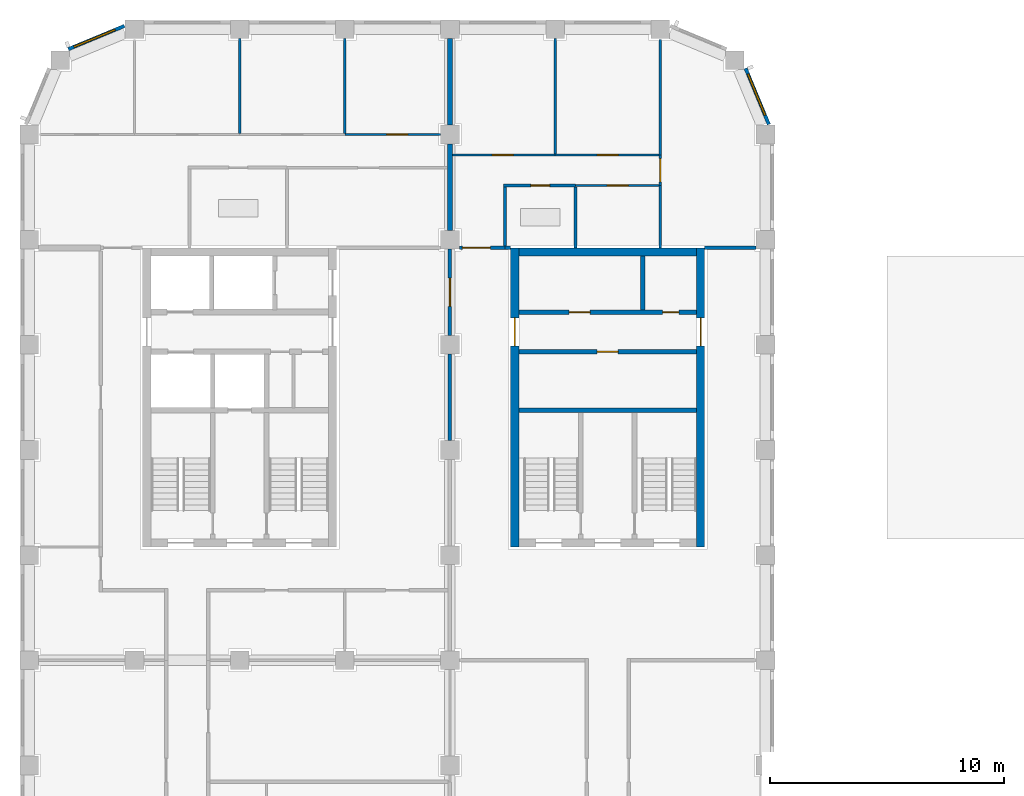
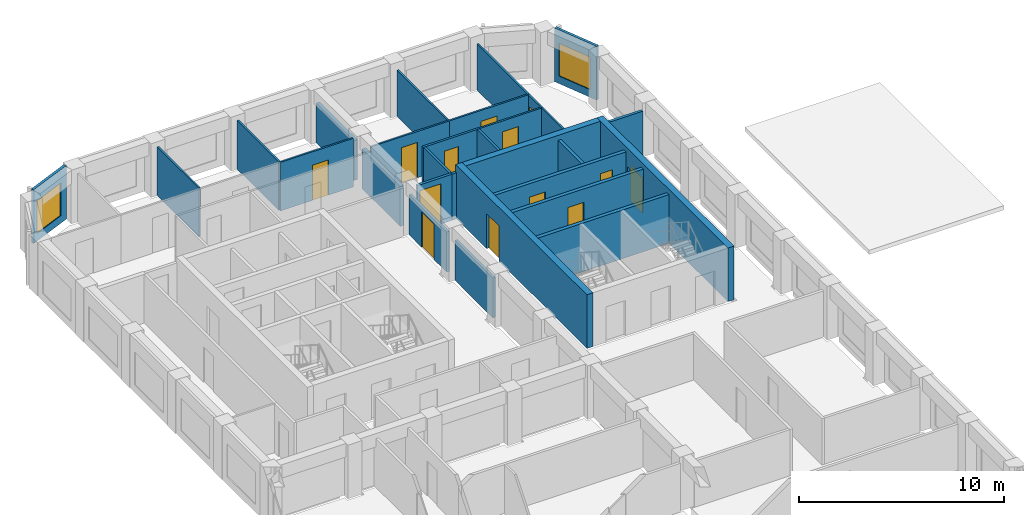
# One storey, part 6 of 9: 29 walls, 13 doors, 2 windows, 15 openings.
"""IFC4 building model written with IfcOpenShell, lengths in metres."""

from ifc_helpers import new_model, si_unit, direction, frame, frame_2d, origin, place, context, subcontext, project, spatial, rectangle, extrude, material, layer, layer_set, type_object, element, fill, save


model = new_model("IFC4")

# Units and contexts
model_context = context("Model", 3, precision=1e-05, world=origin(), true_north=direction((0.0, 1.0)))
body_context = subcontext(model_context, "Body", "Model", "MODEL_VIEW")
ifc_project = project(units=[si_unit("LENGTHUNIT", "METRE"), si_unit("AREAUNIT", "SQUARE_METRE"), si_unit("VOLUMEUNIT", "CUBIC_METRE"), si_unit("PLANEANGLEUNIT", "RADIAN"), si_unit("MASSUNIT", "GRAM", prefix="KILO")], contexts=[model_context])

# Site, building, storey
site_placement = place(None, origin())
site = spatial("IfcSite", under=ifc_project, at=site_placement, CompositionType="ELEMENT")
building_placement = place(site_placement, origin())
building = spatial("IfcBuilding", under=site, at=building_placement, Name="Girih Gate Residences", CompositionType="ELEMENT")
storey_placement = place(building_placement, frame((0.0, 0.0, 179.5)))
storey = spatial("IfcBuildingStorey", under=building, at=storey_placement, Name="L49", CompositionType="ELEMENT", Elevation=179.5)

# Wall
ifc_material_1 = material(Name="Gypsum board on steel studs", Category="steel")
ifc_layer_1 = layer(ifc_material_1, 0.14990234375)
ifc_layer_set_1 = layer_set([ifc_layer_1], Name="Compartment wall 150 mm")
wall_type_1 = type_object("IfcWallType", Name="Compartment wall 150 mm", PredefinedType="PARTITIONING", material=ifc_layer_set_1)
wall_1_placement = place(storey_placement, frame((20.35009765625, 40.14990234375, 0.0), z_axis=(0.0, 0.0, 1.0), x_axis=(1.0, 0.0, 0.0)))
element("IfcWall", 1, at=wall_1_placement, inside=storey, type_object=wall_type_1, Name="L49 partition", PredefinedType="PARTITIONING", context=body_context, shape_type="SweptSolid", body=[
    extrude(rectangle(XDim=0.25, YDim=0.14990234375, at=frame_2d((0.125, 0.0))), origin(), (0.0, 0.0, 1.0), 2.75),
])

# Wall, opening, door
wall_2_placement = place(storey_placement, frame((18.39990234375, 40.14990234375, 0.0), z_axis=(0.0, 0.0, 1.0), x_axis=(1.0, 0.0, 0.0)))
wall_2 = element("IfcWall", 2, at=wall_2_placement, inside=storey, type_object=wall_type_1, Name="L49 partition", PredefinedType="PARTITIONING", context=body_context, shape_type="SweptSolid", body=[
    extrude(rectangle(XDim=1.9501953125, YDim=0.14990234375, at=frame_2d((0.97509765625, 0.0))), origin(), (0.0, 0.0, 1.0), 2.75),
])
opening_1_placement = place(wall_2_placement, frame((0.1298828125, 0.0, 0.0)))
opening_1 = element("IfcOpeningElement", 3, at=opening_1_placement, cuts=wall_2, Name="Opening A49-020", PredefinedType="OPENING", context=body_context, shape_type="SweptSolid", body=[
    extrude(rectangle(XDim=1.199951171875, YDim=2.39990234375, at=frame_2d((0.60009765625, 1.199951171875))), frame((0.0, 0.0849609375, 0.0), z_axis=(0.0, -1.0, 0.0), x_axis=(1.0, 0.0, 0.0)), (0.0, 0.0, 1.0), 0.169921875),
])
ifc_material_2 = material(Name="Timber, fire-rated core", Category="wood")
door_type_1 = type_object("IfcDoorType", Name="Villa entrance door 1200x2400 FD30S", OperationType="NOTDEFINED", PredefinedType="DOOR", material=ifc_material_2)
door_1_placement = place(opening_1_placement, origin())
door_1 = element("IfcDoor", 4, at=door_1_placement, inside=storey, type_object=door_type_1, Name="Door A49-020", OperationType="SINGLE_SWING_LEFT", OverallHeight=2.39990234375, OverallWidth=1.199951171875, PredefinedType="DOOR", context=body_context, shape_type="SweptSolid", body=[
    extrude(rectangle(XDim=1.199951171875, YDim=2.39990234375, at=frame_2d((0.60009765625, 1.199951171875))), frame((0.0, 0.02490234375, 0.0), z_axis=(0.0, -1.0, 0.0), x_axis=(1.0, 0.0, 0.0)), (0.0, 0.0, 1.0), 0.050048828125),
])
fill(opening_1, door_1)

# Walls
wall_3_placement = place(storey_placement, frame((28.89990234375, 40.14990234375, 0.0), z_axis=(0.0, 0.0, 1.0), x_axis=(1.0, 0.0, 0.0)))
element("IfcWall", 5, at=wall_3_placement, inside=storey, type_object=wall_type_1, Name="L49 partition", PredefinedType="PARTITIONING", context=body_context, shape_type="SweptSolid", body=[
    extrude(rectangle(XDim=2.2001953125, YDim=0.14990234375, at=frame_2d((1.10009765625, 0.0))), origin(), (0.0, 0.0, 1.0), 2.75),
])
wall_4_placement = place(storey_placement, frame((18.0, 31.89990234375, 0.0), z_axis=(0.0, 0.0, 1.0), x_axis=(0.0, 1.0, 0.0)))
element("IfcWall", 6, at=wall_4_placement, inside=storey, type_object=wall_type_1, Name="L49 partition", PredefinedType="PARTITIONING", context=body_context, shape_type="SweptSolid", body=[
    extrude(rectangle(XDim=3.7001953125, YDim=0.14990234375, at=frame_2d((1.85009765625, 0.0))), origin(), (0.0, 0.0, 1.0), 2.3798828125),
])

# Wall, opening, door
wall_5_placement = place(storey_placement, frame((18.0, 40.10009765625, 0.0), z_axis=(0.0, 0.0, 1.0), x_axis=(0.0, -1.0, 0.0)))
wall_5 = element("IfcWall", 7, at=wall_5_placement, inside=storey, type_object=wall_type_1, Name="L49 partition", PredefinedType="PARTITIONING", context=body_context, shape_type="SweptSolid", body=[
    extrude(rectangle(XDim=3.7001953125, YDim=0.14990234375, at=frame_2d((1.85009765625, 0.0))), origin(), (0.0, 0.0, 1.0), 2.3798828125),
])
opening_2_placement = place(wall_5_placement, frame((1.25, 0.0, 0.0)))
opening_2 = element("IfcOpeningElement", 8, at=opening_2_placement, cuts=wall_5, Name="Opening A49-022", PredefinedType="OPENING", context=body_context, shape_type="SweptSolid", body=[
    extrude(rectangle(XDim=1.199951171875, YDim=2.10009765625, at=frame_2d((0.60009765625, 1.050048828125))), frame((0.0, 0.0849609375, 0.0), z_axis=(0.0, -1.0, 0.0), x_axis=(1.0, 0.0, 0.0)), (0.0, 0.0, 1.0), 0.169921875),
])
door_type_2 = type_object("IfcDoorType", Name="Corridor fire door 1200x2100 FD30S", OperationType="NOTDEFINED", PredefinedType="DOOR", material=ifc_material_2)
door_2_placement = place(opening_2_placement, origin())
door_2 = element("IfcDoor", 9, at=door_2_placement, inside=storey, type_object=door_type_2, Name="Door A49-022", OperationType="SINGLE_SWING_LEFT", OverallHeight=2.10009765625, OverallWidth=1.199951171875, PredefinedType="DOOR", context=body_context, shape_type="SweptSolid", body=[
    extrude(rectangle(XDim=1.199951171875, YDim=2.10009765625, at=frame_2d((0.60009765625, 1.050048828125))), frame((0.0, 0.02490234375, 0.0), z_axis=(0.0, -1.0, 0.0), x_axis=(1.0, 0.0, 0.0)), (0.0, 0.0, 1.0), 0.050048828125),
])
fill(opening_2, door_2)

# Walls
ifc_layer_2 = layer(ifc_material_1, 0.10009765625)
ifc_layer_set_2 = layer_set([ifc_layer_2], Name="Partition 100 mm")
wall_type_2 = type_object("IfcWallType", Name="Partition 100 mm", PredefinedType="PARTITIONING", material=ifc_layer_set_2)
for number, where, z_axis, x_axis, name in (
    (10, (9.0, 45.050048828125, 0.0), (0.0, 0.0, 1.0), (0.0, 1.0, 0.0), "L49 partition"),
    (11, (13.5, 45.050048828125, 0.0), (0.0, 0.0, 1.0), (0.0, 1.0, 0.0), "L49 partition"),
):
    element("IfcWall", number, at=place(storey_placement, frame(where, z_axis=z_axis, x_axis=x_axis)), inside=storey, type_object=wall_type_2, Name=name, PredefinedType="PARTITIONING", context=body_context, shape_type="SweptSolid", body=[
        extrude(rectangle(XDim=4.050048828125, YDim=0.10009765625, at=frame_2d((2.02490234375, 0.0))), origin(), (0.0, 0.0, 1.0), 2.89990234375),
    ])

# Wall, opening, door
wall_6_placement = place(storey_placement, frame((13.5, 45.0, 0.0), z_axis=(0.0, 0.0, 1.0), x_axis=(1.0, 0.0, 0.0)))
wall_6 = element("IfcWall", 12, at=wall_6_placement, inside=storey, type_object=wall_type_2, Name="L49 partition", PredefinedType="PARTITIONING", context=body_context, shape_type="SweptSolid", body=[
    extrude(rectangle(XDim=4.10009765625, YDim=0.10009765625, at=frame_2d((2.050048828125, 0.0))), origin(), (0.0, 0.0, 1.0), 2.89990234375),
])
opening_3_placement = place(wall_6_placement, frame((1.800048828125, 0.0, 0.0)))
opening_3 = element("IfcOpeningElement", 13, at=opening_3_placement, cuts=wall_6, Name="Opening A49-011", PredefinedType="OPENING", context=body_context, shape_type="SweptSolid", body=[
    extrude(rectangle(XDim=0.89990234375, YDim=2.10009765625, at=frame_2d((0.449951171875, 1.050048828125))), frame((0.0, 0.06005859375, 0.0), z_axis=(0.0, -1.0, 0.0), x_axis=(1.0, 0.0, 0.0)), (0.0, 0.0, 1.0), 0.1201171875),
])
ifc_material_3 = material(Name="Timber", Category="wood")
door_type_3 = type_object("IfcDoorType", Name="Bedroom door 900x2100", OperationType="NOTDEFINED", PredefinedType="DOOR", material=ifc_material_3)
door_3_placement = place(opening_3_placement, origin())
door_3 = element("IfcDoor", 14, at=door_3_placement, inside=storey, type_object=door_type_3, Name="Door A49-011", OperationType="SINGLE_SWING_RIGHT", OverallHeight=2.10009765625, OverallWidth=0.89990234375, PredefinedType="DOOR", context=body_context, shape_type="SweptSolid", body=[
    extrude(rectangle(XDim=0.89990234375, YDim=2.10009765625, at=frame_2d((0.449951171875, 1.050048828125))), frame((0.0, 0.02490234375, 0.0), z_axis=(0.0, -1.0, 0.0), x_axis=(1.0, 0.0, 0.0)), (0.0, 0.0, 1.0), 0.050048828125),
])
fill(opening_3, door_3)

# Wall
wall_7_placement = place(storey_placement, frame((22.5, 44.169921875, 0.0), z_axis=(0.0, 0.0, 1.0), x_axis=(0.0, 1.0, 0.0)))
element("IfcWall", 15, at=wall_7_placement, inside=storey, type_object=wall_type_2, Name="L49 partition", PredefinedType="PARTITIONING", context=body_context, shape_type="SweptSolid", body=[
    extrude(rectangle(XDim=4.93017578125, YDim=0.10009765625, at=frame_2d((2.465087890625, 0.0))), origin(), (0.0, 0.0, 1.0), 2.75),
])

# Wall, opening, door
wall_8_placement = place(storey_placement, frame((18.10009765625, 44.1201171875, 0.0), z_axis=(0.0, 0.0, 1.0), x_axis=(1.0, 0.0, 0.0)))
wall_8 = element("IfcWall", 16, at=wall_8_placement, inside=storey, type_object=wall_type_2, Name="L49 partition", PredefinedType="PARTITIONING", context=body_context, shape_type="SweptSolid", body=[
    extrude(rectangle(XDim=4.39990234375, YDim=0.10009765625, at=frame_2d((2.199951171875, 0.0))), origin(), (0.0, 0.0, 1.0), 2.75),
])
opening_4_placement = place(wall_8_placement, frame((1.699951171875, 0.0, 0.0)))
opening_4 = element("IfcOpeningElement", 17, at=opening_4_placement, cuts=wall_8, Name="Opening A49-016", PredefinedType="OPENING", context=body_context, shape_type="SweptSolid", body=[
    extrude(rectangle(XDim=0.89990234375, YDim=2.10009765625, at=frame_2d((0.449951171875, 1.050048828125))), frame((0.0, 0.06005859375, 0.0), z_axis=(0.0, -1.0, 0.0), x_axis=(1.0, 0.0, 0.0)), (0.0, 0.0, 1.0), 0.1201171875),
])
door_4_placement = place(opening_4_placement, origin())
door_4 = element("IfcDoor", 18, at=door_4_placement, inside=storey, type_object=door_type_3, Name="Door A49-016", OperationType="SINGLE_SWING_LEFT", OverallHeight=2.10009765625, OverallWidth=0.89990234375, PredefinedType="DOOR", context=body_context, shape_type="SweptSolid", body=[
    extrude(rectangle(XDim=0.89990234375, YDim=2.10009765625, at=frame_2d((0.449951171875, 1.050048828125))), frame((0.0, 0.02490234375, 0.0), z_axis=(0.0, -1.0, 0.0), x_axis=(1.0, 0.0, 0.0)), (0.0, 0.0, 1.0), 0.050048828125),
])
fill(opening_4, door_4)

wall_9_placement = place(storey_placement, frame((22.5, 44.1201171875, 0.0), z_axis=(0.0, 0.0, 1.0), x_axis=(1.0, 0.0, 0.0)))
wall_9 = element("IfcWall", 19, at=wall_9_placement, inside=storey, type_object=wall_type_2, Name="L49 partition", PredefinedType="PARTITIONING", context=body_context, shape_type="SweptSolid", body=[
    extrude(rectangle(XDim=4.449951171875, YDim=0.10009765625, at=frame_2d((2.22509765625, 0.0))), origin(), (0.0, 0.0, 1.0), 2.75),
])
opening_5_placement = place(wall_9_placement, frame((1.800048828125, 0.0, 0.0)))
opening_5 = element("IfcOpeningElement", 20, at=opening_5_placement, cuts=wall_9, Name="Opening A49-017", PredefinedType="OPENING", context=body_context, shape_type="SweptSolid", body=[
    extrude(rectangle(XDim=0.89990234375, YDim=2.10009765625, at=frame_2d((0.449951171875, 1.050048828125))), frame((0.0, 0.06005859375, 0.0), z_axis=(0.0, -1.0, 0.0), x_axis=(1.0, 0.0, 0.0)), (0.0, 0.0, 1.0), 0.1201171875),
])
door_5_placement = place(opening_5_placement, origin())
door_5 = element("IfcDoor", 21, at=door_5_placement, inside=storey, type_object=door_type_3, Name="Door A49-017", OperationType="SINGLE_SWING_RIGHT", OverallHeight=2.10009765625, OverallWidth=0.89990234375, PredefinedType="DOOR", context=body_context, shape_type="SweptSolid", body=[
    extrude(rectangle(XDim=0.89990234375, YDim=2.10009765625, at=frame_2d((0.449951171875, 1.050048828125))), frame((0.0, 0.02490234375, 0.0), z_axis=(0.0, -1.0, 0.0), x_axis=(1.0, 0.0, 0.0)), (0.0, 0.0, 1.0), 0.050048828125),
])
fill(opening_5, door_5)

# Wall
wall_10_placement = place(storey_placement, frame((27.0, 44.1201171875, 0.0), z_axis=(0.0, 0.0, 1.0), x_axis=(0.0, 1.0, 0.0)))
element("IfcWall", 22, at=wall_10_placement, inside=storey, type_object=wall_type_2, Name="L49 partition", PredefinedType="PARTITIONING", context=body_context, shape_type="SweptSolid", body=[
    extrude(rectangle(XDim=4.947021484375, YDim=0.10009765625, at=frame_2d((2.4736328125, 0.0))), origin(), (0.0, 0.0, 1.0), 2.75),
])

# Wall, opening, door
wall_11_placement = place(storey_placement, frame((26.949951171875, 42.820068359375, 0.0), z_axis=(0.0, 0.0, 1.0), x_axis=(-1.0, 0.0, 0.0)))
wall_11 = element("IfcWall", 23, at=wall_11_placement, inside=storey, type_object=wall_type_2, Name="L49 partition", PredefinedType="PARTITIONING", context=body_context, shape_type="SweptSolid", body=[
    extrude(rectangle(XDim=3.572265625, YDim=0.10009765625, at=frame_2d((1.7861328125, 0.0))), origin(), (0.0, 0.0, 1.0), 2.75),
])
opening_6_placement = place(wall_11_placement, frame((1.31103515625, 0.0, 0.0)))
opening_6 = element("IfcOpeningElement", 24, at=opening_6_placement, cuts=wall_11, Name="Opening A49-018", PredefinedType="OPENING", context=body_context, shape_type="SweptSolid", body=[
    extrude(rectangle(XDim=0.89990234375, YDim=2.10009765625, at=frame_2d((0.449951171875, 1.050048828125))), frame((0.0, 0.06005859375, 0.0), z_axis=(0.0, -1.0, 0.0), x_axis=(1.0, 0.0, 0.0)), (0.0, 0.0, 1.0), 0.1201171875),
])
door_type_4 = type_object("IfcDoorType", Name="Kitchen door 900x2100", OperationType="NOTDEFINED", PredefinedType="DOOR", material=ifc_material_3)
door_6_placement = place(opening_6_placement, origin())
door_6 = element("IfcDoor", 25, at=door_6_placement, inside=storey, type_object=door_type_4, Name="Door A49-018", OperationType="SINGLE_SWING_LEFT", OverallHeight=2.10009765625, OverallWidth=0.89990234375, PredefinedType="DOOR", context=body_context, shape_type="SweptSolid", body=[
    extrude(rectangle(XDim=0.89990234375, YDim=2.10009765625, at=frame_2d((0.449951171875, 1.050048828125))), frame((0.0, 0.02490234375, 0.0), z_axis=(0.0, -1.0, 0.0), x_axis=(1.0, 0.0, 0.0)), (0.0, 0.0, 1.0), 0.050048828125),
])
fill(opening_6, door_6)

wall_12_placement = place(storey_placement, frame((27.0, 44.1201171875, 0.0), z_axis=(0.0, 0.0, 1.0), x_axis=(0.0, -1.0, 0.0)))
wall_12 = element("IfcWall", 26, at=wall_12_placement, inside=storey, type_object=wall_type_2, Name="L49 partition", PredefinedType="PARTITIONING", context=body_context, shape_type="SweptSolid", body=[
    extrude(rectangle(XDim=1.300048828125, YDim=0.10009765625, at=frame_2d((0.64990234375, 0.0))), origin(), (0.0, 0.0, 1.0), 2.75),
])
opening_7_placement = place(wall_12_placement, frame((0.14990234375, 0.0, 0.0)))
opening_7 = element("IfcOpeningElement", 27, at=opening_7_placement, cuts=wall_12, Name="Opening A49-019", PredefinedType="OPENING", context=body_context, shape_type="SweptSolid", body=[
    extrude(rectangle(XDim=1.0, YDim=2.10009765625, at=frame_2d((0.5, 1.050048828125))), frame((0.0, 0.06005859375, 0.0), z_axis=(0.0, -1.0, 0.0), x_axis=(1.0, 0.0, 0.0)), (0.0, 0.0, 1.0), 0.1201171875),
])
door_type_5 = type_object("IfcDoorType", Name="Living room door 1000x2100", OperationType="NOTDEFINED", PredefinedType="DOOR", material=ifc_material_3)
door_7_placement = place(opening_7_placement, origin())
door_7 = element("IfcDoor", 28, at=door_7_placement, inside=storey, type_object=door_type_5, Name="Door A49-019", OperationType="SINGLE_SWING_RIGHT", OverallHeight=2.10009765625, OverallWidth=1.0, PredefinedType="DOOR", context=body_context, shape_type="SweptSolid", body=[
    extrude(rectangle(XDim=1.0, YDim=2.10009765625, at=frame_2d((0.5, 1.050048828125))), frame((0.0, 0.02490234375, 0.0), z_axis=(0.0, -1.0, 0.0), x_axis=(1.0, 0.0, 0.0)), (0.0, 0.0, 1.0), 0.050048828125),
])
fill(opening_7, door_7)

# Walls
wall_13_placement = place(storey_placement, frame((27.0, 40.14990234375, 0.0), z_axis=(0.0, 0.0, 1.0), x_axis=(0.0, 1.0, 0.0)))
element("IfcWall", 29, at=wall_13_placement, inside=storey, type_object=wall_type_2, Name="L49 partition", PredefinedType="PARTITIONING", context=body_context, shape_type="SweptSolid", body=[
    extrude(rectangle(XDim=2.670166015625, YDim=0.10009765625, at=frame_2d((1.3349609375, 0.0))), origin(), (0.0, 0.0, 1.0), 2.75),
])
ifc_layer_3 = layer(ifc_material_1, 0.199951171875)
ifc_layer_set_3 = layer_set([ifc_layer_3], Name="Party wall 200 mm")
wall_type_3 = type_object("IfcWallType", Name="Party wall 200 mm", PredefinedType="PARTITIONING", material=ifc_layer_set_3)
for number, where, z_axis, x_axis, name in (
    (30, (18.0, 45.39990234375, 0.0), (0.0, 0.0, 1.0), (0.0, 1.0, 0.0), "L49 partition"),
    (31, (18.0, 40.89990234375, 0.0), (0.0, 0.0, 1.0), (0.0, 1.0, 0.0), "L49 partition"),
):
    element("IfcWall", number, at=place(storey_placement, frame(where, z_axis=z_axis, x_axis=x_axis)), inside=storey, type_object=wall_type_3, Name=name, PredefinedType="PARTITIONING", context=body_context, shape_type="SweptSolid", body=[
        extrude(rectangle(XDim=3.7001953125, YDim=0.199951171875, at=frame_2d((1.85009765625, 0.0))), origin(), (0.0, 0.0, 1.0), 2.3798828125),
    ])

# Wall, opening, window
ifc_material_4 = material(Name="Precast concrete C50/60", Category="concrete")
ifc_layer_4 = layer(ifc_material_4, 0.050048828125, Name="Outer leaf")
ifc_material_5 = material(Name="Rigid PIR insulation")
ifc_layer_5 = layer(ifc_material_5, 0.06005859375, Name="Insulation")
ifc_material_6 = material(Name="Precast concrete C40/50", Category="concrete")
ifc_layer_6 = layer(ifc_material_6, 0.0400390625, Name="Inner leaf")
ifc_layer_set_4 = layer_set([ifc_layer_4, ifc_layer_5, ifc_layer_6], Name="Precast concrete C50/60 external wall 150")
wall_type_4 = type_object("IfcWallType", Name="Precast concrete C50/60 external wall 150", PredefinedType="SOLIDWALL", material=ifc_layer_set_4)
wall_14_placement = place(storey_placement, frame((30.6513671875, 47.8330078125, 0.0), z_axis=(0.0, 0.0, 1.0), x_axis=(0.382669406082, -0.923885342263, 0.0)))
wall_14 = element("IfcWall", 32, at=wall_14_placement, inside=storey, type_object=wall_type_4, Name="External wall NE0315_0450.0", PredefinedType="SOLIDWALL", context=body_context, shape_type="SweptSolid", body=[
    extrude(rectangle(XDim=2.602294921875, YDim=0.14990234375, at=frame_2d((1.30126953125, 0.0))), origin(), (0.0, 0.0, 1.0), 3.199951171875),
])
opening_8_placement = place(wall_14_placement, frame((0.27001953125, 0.0, 0.449951171875)))
opening_8 = element("IfcOpeningElement", 33, at=opening_8_placement, cuts=wall_14, Name="Opening W-2G", PredefinedType="OPENING", context=body_context, shape_type="SweptSolid", body=[
    extrude(rectangle(XDim=1.89990234375, YDim=1.949951171875, at=frame_2d((0.949951171875, 0.97509765625))), frame((0.0, 0.0849609375, 0.0), z_axis=(0.0, -1.0, 0.0), x_axis=(1.0, 0.0, 0.0)), (0.0, 0.0, 1.0), 0.169921875),
])
ifc_material_7 = material(Name="Double glazing in aluminium frame", Category="aluminium")
window_type = type_object("IfcWindowType", Name="Window W-2G 1900x1950", PartitioningType="SINGLE_PANEL", PredefinedType="WINDOW", material=ifc_material_7)
window_1_placement = place(opening_8_placement, origin())
window_1 = element("IfcWindow", 34, at=window_1_placement, inside=storey, type_object=window_type, Name="Window W-2G NE0315_0450.0", OverallHeight=1.949951171875, OverallWidth=1.89990234375, PartitioningType="SINGLE_PANEL", PredefinedType="WINDOW", context=body_context, shape_type="SweptSolid", body=[
    extrude(rectangle(XDim=1.89990234375, YDim=1.949951171875, at=frame_2d((0.949951171875, 0.97509765625))), frame((0.0, 0.030029296875, 0.0), z_axis=(0.0, -1.0, 0.0), x_axis=(1.0, 0.0, 0.0)), (0.0, 0.0, 1.0), 0.06005859375),
])
fill(opening_8, window_1)

wall_15_placement = place(storey_placement, frame((1.6669921875, 48.6513671875, 0.0), z_axis=(0.0, 0.0, 1.0), x_axis=(0.923885342263, 0.382669406082, 0.0)))
wall_15 = element("IfcWall", 35, at=wall_15_placement, inside=storey, type_object=wall_type_4, Name="External wall NW0045_0495.0", PredefinedType="SOLIDWALL", context=body_context, shape_type="SweptSolid", body=[
    extrude(rectangle(XDim=2.602294921875, YDim=0.14990234375, at=frame_2d((1.30126953125, 0.0))), origin(), (0.0, 0.0, 1.0), 3.199951171875),
])
opening_9_placement = place(wall_15_placement, frame((0.27001953125, 0.0, 0.449951171875)))
opening_9 = element("IfcOpeningElement", 36, at=opening_9_placement, cuts=wall_15, Name="Opening W-2G", PredefinedType="OPENING", context=body_context, shape_type="SweptSolid", body=[
    extrude(rectangle(XDim=1.89990234375, YDim=1.949951171875, at=frame_2d((0.949951171875, 0.97509765625))), frame((0.0, 0.0849609375, 0.0), z_axis=(0.0, -1.0, 0.0), x_axis=(1.0, 0.0, 0.0)), (0.0, 0.0, 1.0), 0.169921875),
])
window_2_placement = place(opening_9_placement, origin())
window_2 = element("IfcWindow", 37, at=window_2_placement, inside=storey, type_object=window_type, Name="Window W-2G NW0045_0495.0", OverallHeight=1.949951171875, OverallWidth=1.89990234375, PartitioningType="SINGLE_PANEL", PredefinedType="WINDOW", context=body_context, shape_type="SweptSolid", body=[
    extrude(rectangle(XDim=1.89990234375, YDim=1.949951171875, at=frame_2d((0.949951171875, 0.97509765625))), frame((0.0, 0.030029296875, 0.0), z_axis=(0.0, -1.0, 0.0), x_axis=(1.0, 0.0, 0.0)), (0.0, 0.0, 1.0), 0.06005859375),
])
fill(opening_9, window_2)

# Walls
ifc_material_8 = material(Name="Concrete C40/50", Category="concrete")
ifc_layer_7 = layer(ifc_material_8, 0.175048828125)
ifc_layer_set_5 = layer_set([ifc_layer_7], Name="Riser shaft wall 175")
wall_type_5 = type_object("IfcWallType", Name="Riser shaft wall 175", PredefinedType="SOLIDWALL", material=ifc_layer_set_5)
wall_16_placement = place(storey_placement, frame((26.25, 37.5, 0.0), z_axis=(0.0, 0.0, 1.0), x_axis=(0.0, 1.0, 0.0)))
element("IfcWall", 38, at=wall_16_placement, inside=storey, type_object=wall_type_5, Name="L49 C core wall V2c", PredefinedType="SOLIDWALL", context=body_context, shape_type="SweptSolid", body=[
    extrude(rectangle(XDim=2.300048828125, YDim=0.175048828125, at=frame_2d((1.14990234375, 0.0))), origin(), (0.0, 0.0, 1.0), 2.89990234375),
])
ifc_layer_8 = layer(ifc_material_8, 0.199951171875)
ifc_layer_set_6 = layer_set([ifc_layer_8], Name="Shaft wall 200")
wall_type_6 = type_object("IfcWallType", Name="Shaft wall 200", PredefinedType="SOLIDWALL", material=ifc_layer_set_6)
wall_17_placement = place(storey_placement, frame((20.949951171875, 33.199951171875, 0.0), z_axis=(0.0, 0.0, 1.0), x_axis=(1.0, 0.0, 0.0)))
element("IfcWall", 39, at=wall_17_placement, inside=storey, type_object=wall_type_6, Name="L49 C core wall H1", PredefinedType="SOLIDWALL", context=body_context, shape_type="SweptSolid", body=[
    extrude(rectangle(XDim=7.60009765625, YDim=0.199951171875, at=frame_2d((3.800048828125, 0.0))), origin(), (0.0, 0.0, 1.0), 2.89990234375),
])

# Wall, opening, door
wall_18_placement = place(storey_placement, frame((20.949951171875, 35.699951171875, 0.0), z_axis=(0.0, 0.0, 1.0), x_axis=(1.0, 0.0, 0.0)))
wall_18 = element("IfcWall", 40, at=wall_18_placement, inside=storey, type_object=wall_type_6, Name="L49 C core wall H2", PredefinedType="SOLIDWALL", context=body_context, shape_type="SweptSolid", body=[
    extrude(rectangle(XDim=7.60009765625, YDim=0.199951171875, at=frame_2d((3.800048828125, 0.0))), origin(), (0.0, 0.0, 1.0), 2.89990234375),
])
opening_10_placement = place(wall_18_placement, frame((3.35009765625, 0.0, 0.0)))
opening_10 = element("IfcOpeningElement", 41, at=opening_10_placement, cuts=wall_18, Name="Opening D-L49-C-004", PredefinedType="OPENING", context=body_context, shape_type="SweptSolid", body=[
    extrude(rectangle(XDim=0.89990234375, YDim=2.10009765625, at=frame_2d((0.449951171875, 1.050048828125))), frame((0.0, 0.10986328125, 0.0), z_axis=(0.0, -1.0, 0.0), x_axis=(1.0, 0.0, 0.0)), (0.0, 0.0, 1.0), 0.219970703125),
])
ifc_material_9 = material(Name="Painted steel, fire-resisting", Category="steel")
door_type_6 = type_object("IfcDoorType", Name="Fire door 900x2100", OperationType="SINGLE_SWING_LEFT", PredefinedType="DOOR", material=ifc_material_9)
door_8_placement = place(opening_10_placement, origin())
door_8 = element("IfcDoor", 42, at=door_8_placement, inside=storey, type_object=door_type_6, Name="L49 C riser room door", OperationType="SINGLE_SWING_LEFT", OverallHeight=2.10009765625, OverallWidth=0.89990234375, PredefinedType="DOOR", context=body_context, shape_type="SweptSolid", body=[
    extrude(rectangle(XDim=0.89990234375, YDim=2.10009765625, at=frame_2d((0.449951171875, 1.050048828125))), frame((0.0, 0.02490234375, 0.0), z_axis=(0.0, -1.0, 0.0), x_axis=(1.0, 0.0, 0.0)), (0.0, 0.0, 1.0), 0.050048828125),
])
fill(opening_10, door_8)

# Wall, openings, doors
wall_19_placement = place(storey_placement, frame((20.949951171875, 37.39990234375, 0.0), z_axis=(0.0, 0.0, 1.0), x_axis=(1.0, 0.0, 0.0)))
wall_19 = element("IfcWall", 43, at=wall_19_placement, inside=storey, type_object=wall_type_6, Name="L49 C core wall H3", PredefinedType="SOLIDWALL", context=body_context, shape_type="SweptSolid", body=[
    extrude(rectangle(XDim=7.60009765625, YDim=0.199951171875, at=frame_2d((3.800048828125, 0.0))), origin(), (0.0, 0.0, 1.0), 2.89990234375),
])
opening_11_placement = place(wall_19_placement, frame((6.14990234375, 0.0, 0.0)))
opening_11 = element("IfcOpeningElement", 44, at=opening_11_placement, cuts=wall_19, Name="Opening D-L49-C-003", PredefinedType="OPENING", context=body_context, shape_type="SweptSolid", body=[
    extrude(rectangle(XDim=0.699951171875, YDim=2.10009765625, at=frame_2d((0.35009765625, 1.050048828125))), frame((0.0, 0.10986328125, 0.0), z_axis=(0.0, -1.0, 0.0), x_axis=(1.0, 0.0, 0.0)), (0.0, 0.0, 1.0), 0.219970703125),
])
opening_12_placement = place(wall_19_placement, frame((2.14990234375, 0.0, 0.0)))
opening_12 = element("IfcOpeningElement", 45, at=opening_12_placement, cuts=wall_19, Name="Opening D-L49-C-005", PredefinedType="OPENING", context=body_context, shape_type="SweptSolid", body=[
    extrude(rectangle(XDim=0.89990234375, YDim=2.10009765625, at=frame_2d((0.449951171875, 1.050048828125))), frame((0.0, 0.10986328125, 0.0), z_axis=(0.0, -1.0, 0.0), x_axis=(1.0, 0.0, 0.0)), (0.0, 0.0, 1.0), 0.219970703125),
])
door_9_placement = place(opening_12_placement, origin())
door_9 = element("IfcDoor", 46, at=door_9_placement, inside=storey, type_object=door_type_6, Name="L49 C pantry door", OperationType="SINGLE_SWING_LEFT", OverallHeight=2.10009765625, OverallWidth=0.89990234375, PredefinedType="DOOR", context=body_context, shape_type="SweptSolid", body=[
    extrude(rectangle(XDim=0.89990234375, YDim=2.10009765625, at=frame_2d((0.449951171875, 1.050048828125))), frame((0.0, 0.02490234375, 0.0), z_axis=(0.0, -1.0, 0.0), x_axis=(1.0, 0.0, 0.0)), (0.0, 0.0, 1.0), 0.050048828125),
])
fill(opening_12, door_9)
door_type_7 = type_object("IfcDoorType", Name="Riser access door 700x2100", OperationType="SINGLE_SWING_LEFT", PredefinedType="DOOR", material=ifc_material_9)
door_10_placement = place(opening_11_placement, origin())
door_10 = element("IfcDoor", 47, at=door_10_placement, inside=storey, type_object=door_type_7, Name="L49 C riser room door", OperationType="SINGLE_SWING_LEFT", OverallHeight=2.10009765625, OverallWidth=0.699951171875, PredefinedType="DOOR", context=body_context, shape_type="SweptSolid", body=[
    extrude(rectangle(XDim=0.699951171875, YDim=2.10009765625, at=frame_2d((0.35009765625, 1.050048828125))), frame((0.0, 0.02490234375, 0.0), z_axis=(0.0, -1.0, 0.0), x_axis=(1.0, 0.0, 0.0)), (0.0, 0.0, 1.0), 0.050048828125),
])
fill(opening_11, door_10)

# Wall
ifc_layer_9 = layer(ifc_material_8, 0.35009765625)
ifc_layer_set_7 = layer_set([ifc_layer_9], Name="Stair core wall RC 350 Concrete C40/50")
wall_type_7 = type_object("IfcWallType", Name="Stair core wall RC 350 Concrete C40/50", PredefinedType="SOLIDWALL", material=ifc_layer_set_7)
wall_20_placement = place(storey_placement, frame((20.949951171875, 39.97509765625, 0.0), z_axis=(0.0, 0.0, 1.0), x_axis=(1.0, 0.0, 0.0)))
element("IfcWall", 48, at=wall_20_placement, inside=storey, type_object=wall_type_7, Name="Stair core wall C-N L49", PredefinedType="SOLIDWALL", context=body_context, shape_type="SweptSolid", body=[
    extrude(rectangle(XDim=7.60009765625, YDim=0.35009765625, at=frame_2d((3.800048828125, 0.0))), origin(), (0.0, 0.0, 1.0), 3.199951171875),
])

# Wall, opening, door
wall_21_placement = place(storey_placement, frame((20.77490234375, 27.35009765625, 0.0), z_axis=(0.0, 0.0, 1.0), x_axis=(0.0, 1.0, 0.0)))
wall_21 = element("IfcWall", 49, at=wall_21_placement, inside=storey, type_object=wall_type_7, Name="Stair core wall C-W L49", PredefinedType="SOLIDWALL", context=body_context, shape_type="SweptSolid", body=[
    extrude(rectangle(XDim=12.7998046875, YDim=0.35009765625, at=frame_2d((6.39990234375, 0.0))), origin(), (0.0, 0.0, 1.0), 3.199951171875),
])
opening_13_placement = place(wall_21_placement, frame((8.60009765625, 0.0, 0.0)))
opening_13 = element("IfcOpeningElement", 50, at=opening_13_placement, cuts=wall_21, Name="Opening D-L49-C-009", PredefinedType="OPENING", context=body_context, shape_type="SweptSolid", body=[
    extrude(rectangle(XDim=1.199951171875, YDim=2.10009765625, at=frame_2d((0.60009765625, 1.050048828125))), frame((0.0, 0.18505859375, 0.0), z_axis=(0.0, -1.0, 0.0), x_axis=(1.0, 0.0, 0.0)), (0.0, 0.0, 1.0), 0.3701171875),
])
door_type_8 = type_object("IfcDoorType", Name="Fire door 1200x2100", OperationType="SINGLE_SWING_LEFT", PredefinedType="DOOR", material=ifc_material_9)
door_11_placement = place(opening_13_placement, origin())
door_11 = element("IfcDoor", 51, at=door_11_placement, inside=storey, type_object=door_type_8, Name="L49 C core door ll-w", OperationType="SINGLE_SWING_LEFT", OverallHeight=2.10009765625, OverallWidth=1.199951171875, PredefinedType="DOOR", context=body_context, shape_type="SweptSolid", body=[
    extrude(rectangle(XDim=1.199951171875, YDim=2.10009765625, at=frame_2d((0.60009765625, 1.050048828125))), frame((0.0, 0.02490234375, 0.0), z_axis=(0.0, -1.0, 0.0), x_axis=(1.0, 0.0, 0.0)), (0.0, 0.0, 1.0), 0.050048828125),
])
fill(opening_13, door_11)

wall_22_placement = place(storey_placement, frame((28.72509765625, 27.35009765625, 0.0), z_axis=(0.0, 0.0, 1.0), x_axis=(0.0, 1.0, 0.0)))
wall_22 = element("IfcWall", 52, at=wall_22_placement, inside=storey, type_object=wall_type_7, Name="Stair core wall C-E L49", PredefinedType="SOLIDWALL", context=body_context, shape_type="SweptSolid", body=[
    extrude(rectangle(XDim=12.7998046875, YDim=0.35009765625, at=frame_2d((6.39990234375, 0.0))), origin(), (0.0, 0.0, 1.0), 3.199951171875),
])
opening_14_placement = place(wall_22_placement, frame((8.60009765625, 0.0, 0.0)))
opening_14 = element("IfcOpeningElement", 53, at=opening_14_placement, cuts=wall_22, Name="Opening D-L49-C-010", PredefinedType="OPENING", context=body_context, shape_type="SweptSolid", body=[
    extrude(rectangle(XDim=1.199951171875, YDim=2.10009765625, at=frame_2d((0.60009765625, 1.050048828125))), frame((0.0, 0.18505859375, 0.0), z_axis=(0.0, -1.0, 0.0), x_axis=(1.0, 0.0, 0.0)), (0.0, 0.0, 1.0), 0.3701171875),
])
door_12_placement = place(opening_14_placement, origin())
door_12 = element("IfcDoor", 54, at=door_12_placement, inside=storey, type_object=door_type_8, Name="L49 C core door ll-e", OperationType="SINGLE_SWING_LEFT", OverallHeight=2.10009765625, OverallWidth=1.199951171875, PredefinedType="DOOR", context=body_context, shape_type="SweptSolid", body=[
    extrude(rectangle(XDim=1.199951171875, YDim=2.10009765625, at=frame_2d((0.60009765625, 1.050048828125))), frame((0.0, 0.02490234375, 0.0), z_axis=(0.0, -1.0, 0.0), x_axis=(1.0, 0.0, 0.0)), (0.0, 0.0, 1.0), 0.050048828125),
])
fill(opening_14, door_12)

# Wall
ifc_layer_10 = layer(ifc_material_1, 0.125)
ifc_layer_set_8 = layer_set([ifc_layer_10], Name="Wet room wall 125 mm")
wall_type_8 = type_object("IfcWallType", Name="Wet room wall 125 mm", PredefinedType="PARTITIONING", material=ifc_layer_set_8)
wall_23_placement = place(storey_placement, frame((20.35009765625, 40.22509765625, 0.0), z_axis=(0.0, 0.0, 1.0), x_axis=(0.0, 1.0, 0.0)))
element("IfcWall", 55, at=wall_23_placement, inside=storey, type_object=wall_type_8, Name="L49 partition", PredefinedType="PARTITIONING", context=body_context, shape_type="SweptSolid", body=[
    extrude(rectangle(XDim=2.532470703125, YDim=0.125, at=frame_2d((1.26611328125, 0.0))), origin(), (0.0, 0.0, 1.0), 2.75),
])

# Wall, opening, door
wall_24_placement = place(storey_placement, frame((23.377685546875, 42.820068359375, 0.0), z_axis=(0.0, 0.0, 1.0), x_axis=(-1.0, 0.0, 0.0)))
wall_24 = element("IfcWall", 56, at=wall_24_placement, inside=storey, type_object=wall_type_8, Name="L49 partition", PredefinedType="PARTITIONING", context=body_context, shape_type="SweptSolid", body=[
    extrude(rectangle(XDim=3.090087890625, YDim=0.125, at=frame_2d((1.544921875, 0.0))), origin(), (0.0, 0.0, 1.0), 2.75),
])
opening_15_placement = place(wall_24_placement, frame((1.114013671875, 0.0, 0.0)))
opening_15 = element("IfcOpeningElement", 57, at=opening_15_placement, cuts=wall_24, Name="Opening A49-015", PredefinedType="OPENING", context=body_context, shape_type="SweptSolid", body=[
    extrude(rectangle(XDim=0.800048828125, YDim=2.10009765625, at=frame_2d((0.39990234375, 1.050048828125))), frame((0.0, 0.072509765625, 0.0), z_axis=(0.0, -1.0, 0.0), x_axis=(1.0, 0.0, 0.0)), (0.0, 0.0, 1.0), 0.14501953125),
])
door_type_9 = type_object("IfcDoorType", Name="Bathroom door 800x2100", OperationType="NOTDEFINED", PredefinedType="DOOR", material=ifc_material_3)
door_13_placement = place(opening_15_placement, origin())
door_13 = element("IfcDoor", 58, at=door_13_placement, inside=storey, type_object=door_type_9, Name="Door A49-015", OperationType="SINGLE_SWING_LEFT", OverallHeight=2.10009765625, OverallWidth=0.800048828125, PredefinedType="DOOR", context=body_context, shape_type="SweptSolid", body=[
    extrude(rectangle(XDim=0.800048828125, YDim=2.10009765625, at=frame_2d((0.39990234375, 1.050048828125))), frame((0.0, 0.02490234375, 0.0), z_axis=(0.0, -1.0, 0.0), x_axis=(1.0, 0.0, 0.0)), (0.0, 0.0, 1.0), 0.050048828125),
])
fill(opening_15, door_13)

# Wall
wall_25_placement = place(storey_placement, frame((23.3779296875, 40.14990234375, 0.0), z_axis=(0.0, 0.0, 1.0), x_axis=(0.0, 1.0, 0.0)))
element("IfcWall", 59, at=wall_25_placement, inside=storey, type_object=wall_type_8, Name="L49 partition", PredefinedType="PARTITIONING", context=body_context, shape_type="SweptSolid", body=[
    extrude(rectangle(XDim=2.607666015625, YDim=0.125, at=frame_2d((1.3037109375, 0.0))), origin(), (0.0, 0.0, 1.0), 2.75),
])

save(model, "model.ifc")
